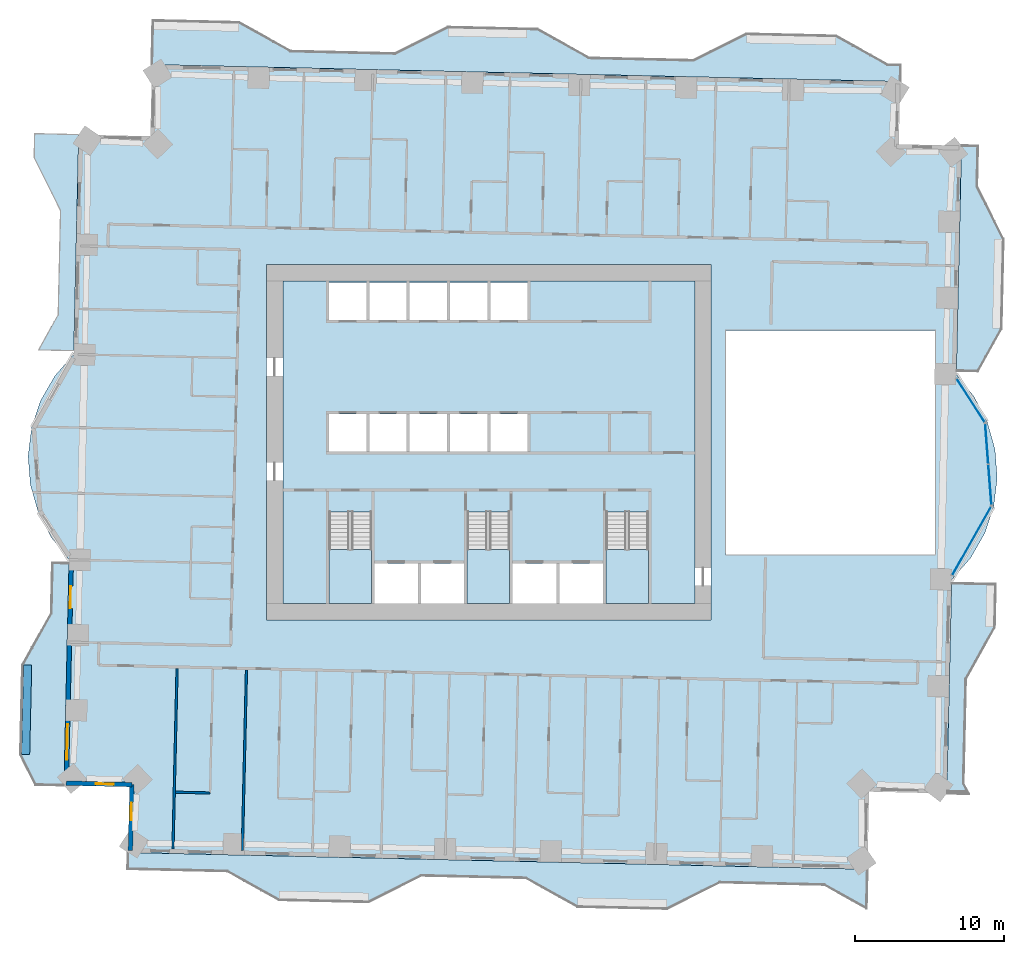
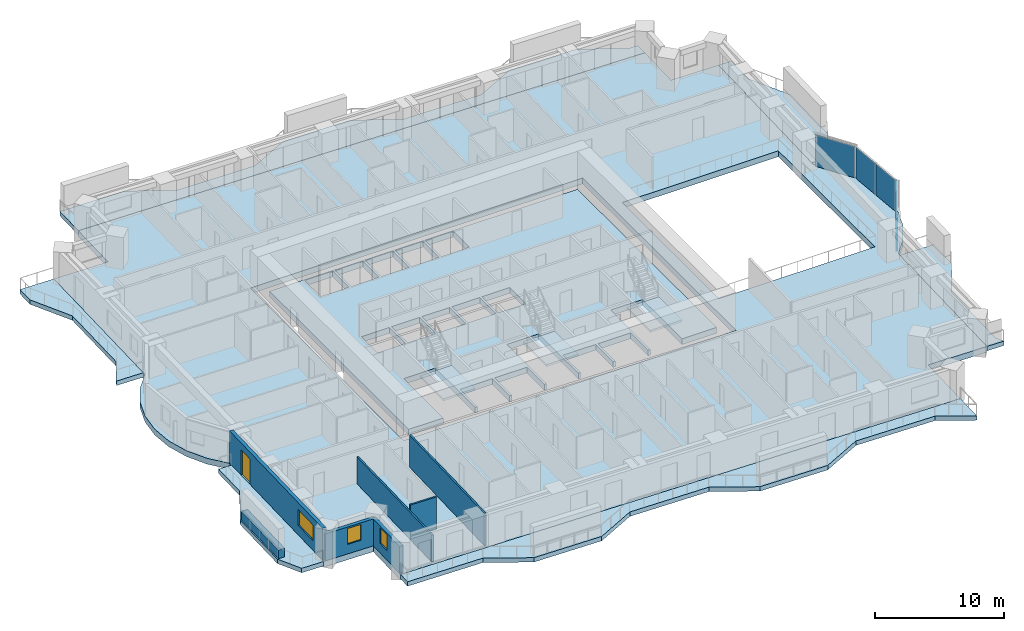
# One storey, part 6 of 18: 11 slabs, 7 walls, 4 plates, 3 windows, 1 door, 4 openings, 6 elements without a shape of their own.
"""IFC4 building model written with IfcOpenShell, lengths in metres."""

from ifc_helpers import new_model, si_unit, direction, frame, frame_2d, origin, origin_2d, place, context, subcontext, project, spatial, polyline, rectangle, outline, extrude, material, layer, layer_set, type_object, element, fill, aggregate, save


model = new_model("IFC4")

# Units and contexts
model_context = context("Model", 3, precision=1e-05, world=origin(), true_north=direction((0.0, 1.0)))
body_context = subcontext(model_context, "Body", "Model", "MODEL_VIEW")
ifc_project = project(units=[si_unit("LENGTHUNIT", "METRE"), si_unit("AREAUNIT", "SQUARE_METRE"), si_unit("VOLUMEUNIT", "CUBIC_METRE"), si_unit("PLANEANGLEUNIT", "RADIAN"), si_unit("MASSUNIT", "GRAM", prefix="KILO")], contexts=[model_context])

# Site, building, storey
site_placement = place(None, origin())
site = spatial("IfcSite", under=ifc_project, at=site_placement, CompositionType="ELEMENT")
building_placement = place(site_placement, origin())
building = spatial("IfcBuilding", under=site, at=building_placement, Name="Mangrove Gate Tower", CompositionType="ELEMENT")
storey_placement = place(building_placement, frame((0.0, 0.0, 67.5)))
storey = spatial("IfcBuildingStorey", under=building, at=storey_placement, Name="L16", CompositionType="ELEMENT", Elevation=67.5)

# Curtain wall, plate
ifc_material_1 = material(Name="Aluminium and glass curtain wall", Category="aluminium")
curtain_wall_type = type_object("IfcCurtainWallType", Name="Atrium garden-court glazing wall", PredefinedType="NOTDEFINED", material=ifc_material_1)
curtain_wall_1_placement = place(storey_placement, origin())
curtain_wall_1 = element("IfcCurtainWall", 1, at=curtain_wall_1_placement, inside=storey, type_object=curtain_wall_type, Name="Atrium garden-court glazing E1f1", PredefinedType="NOTDEFINED")
ifc_material_2 = material(Name="Laminated low-e glass", Category="glass")
ifc_layer_1 = layer(ifc_material_2, 0.031982421875)
ifc_layer_set_1 = layer_set([ifc_layer_1], Name="Atrium garden-court glazing panel 32")
plate_type = type_object("IfcPlateType", Name="Atrium garden-court glazing panel 32", PredefinedType="CURTAIN_PANEL", material=ifc_layer_set_1)
plate_1_placement = place(storey_placement, frame((32.34912109375, -6.600830078125, 0.0), z_axis=(0.0, 0.0, 1.0), x_axis=(0.492603686489, 0.870253760726, 0.0)))
plate_1 = element("IfcPlate", 2, at=plate_1_placement, type_object=plate_type, Name="CWA panel 1.1", PredefinedType="CURTAIN_PANEL", context=body_context, shape_type="SweptSolid", body=[
    extrude(rectangle(XDim=5.258544921875, YDim=0.031982421875, at=origin_2d()), origin(), (0.0, 0.0, 1.0), 2.97998046875),
])
aggregate(curtain_wall_1, [plate_1])

# Curtain wall, plates
curtain_wall_2_placement = place(storey_placement, origin())
curtain_wall_2 = element("IfcCurtainWall", 3, at=curtain_wall_2_placement, inside=storey, type_object=curtain_wall_type, Name="Atrium garden-court glazing E1f2", PredefinedType="NOTDEFINED")
plate_2_placement = place(storey_placement, frame((33.5703125, -2.84521484375, 0.0), z_axis=(0.0, 0.0, 1.0), x_axis=(-0.077023348212, 0.997029289354, 0.0)))
plate_2 = element("IfcPlate", 4, at=plate_2_placement, type_object=plate_type, Name="CWA panel 1.1", PredefinedType="CURTAIN_PANEL", context=body_context, shape_type="SweptSolid", body=[
    extrude(rectangle(XDim=2.681640625, YDim=0.031982421875, at=origin_2d()), origin(), (0.0, 0.0, 1.0), 2.97998046875),
])
plate_3_placement = place(storey_placement, frame((33.3583984375, -0.1015625, 0.0), z_axis=(0.0, 0.0, 1.0), x_axis=(-0.077023348212, 0.997029289354, 0.0)))
plate_3 = element("IfcPlate", 5, at=plate_3_placement, type_object=plate_type, Name="CWA panel 2.1", PredefinedType="CURTAIN_PANEL", context=body_context, shape_type="SweptSolid", body=[
    extrude(rectangle(XDim=2.681640625, YDim=0.031982421875, at=origin_2d()), origin(), (0.0, 0.0, 1.0), 2.97998046875),
])
aggregate(curtain_wall_2, [plate_2, plate_3])

# Curtain wall, plate
curtain_wall_3_placement = place(storey_placement, origin())
curtain_wall_3 = element("IfcCurtainWall", 6, at=curtain_wall_3_placement, inside=storey, type_object=curtain_wall_type, Name="Atrium garden-court glazing E1f3", PredefinedType="NOTDEFINED")
plate_4_placement = place(storey_placement, frame((32.284912109375, 2.806396484375, 0.0), z_axis=(0.0, 0.0, 1.0), x_axis=(-0.540524576597, 0.841328224948, 0.0)))
plate_4 = element("IfcPlate", 7, at=plate_4_placement, type_object=plate_type, Name="CWA panel 1.1", PredefinedType="CURTAIN_PANEL", context=body_context, shape_type="SweptSolid", body=[
    extrude(rectangle(XDim=3.42919921875, YDim=0.031982421875, at=origin_2d()), origin(), (0.0, 0.0, 1.0), 2.97998046875),
])
aggregate(curtain_wall_3, [plate_4])

# Slabs
ifc_material_3 = material(Name="Porcelain tile")
ifc_layer_2 = layer(ifc_material_3, 0.02001953125, Name="Tile finish")
ifc_material_4 = material(Name="Cement sand screed")
ifc_layer_3 = layer(ifc_material_4, 0.0400390625, Name="Screed laid to falls")
ifc_material_5 = material(Name="Bituminous waterproofing membrane")
ifc_layer_4 = layer(ifc_material_5, 0.00390625, Name="Waterproofing")
ifc_material_6 = material(Name="Concrete C40/50", Category="concrete")
ifc_layer_5 = layer(ifc_material_6, 0.340087890625, Name="Balcony structural slab")
ifc_material_7 = material(Name="Limestone", Category="masonry")
ifc_layer_6 = layer(ifc_material_7, 0.01611328125, Name="Soffit lining")
ifc_layer_set_2 = layer_set([ifc_layer_2, ifc_layer_3, ifc_layer_4, ifc_layer_5, ifc_layer_6], Name="Balcony slab 420 C40/50")
slab_type_1 = type_object("IfcSlabType", Name="Balcony slab 420 C40/50", PredefinedType="FLOOR", material=ifc_layer_set_2)
slab_1_placement = place(storey_placement, frame((0.0, 0.0, -0.419921875)))
element("IfcSlab", 8, at=slab_1_placement, inside=storey, type_object=slab_type_1, Name="BALCONY L16 E0", PredefinedType="FLOOR", context=body_context, shape_type="SweptSolid", body=[
    extrude(outline(polyline([(32.18896484375, -23.550048828125), (31.8349609375, -22.841064453125), (31.993896484375, -15.843017578125), (33.923095703125, -12.385986328125), (33.988037109375, -9.511962890625), (30.9990234375, -9.444091796875), (30.93408203125, -12.318115234375), (30.85400390625, -15.81689453125), (30.695068359375, -22.81591796875), (30.678955078125, -23.514892578125), (32.18896484375, -23.550048828125)])), origin(), (0.0, 0.0, 1.0), 0.419921875),
])
slab_2_placement = place(storey_placement, frame((0.0, 0.0, -0.419921875)))
element("IfcSlab", 9, at=slab_2_placement, inside=storey, type_object=slab_type_1, Name="BALCONY L16 E1", PredefinedType="FLOOR", context=body_context, shape_type="SweptSolid", body=[
    extrude(outline(polyline([(32.7919921875, 4.76904296875), (34.3759765625, 7.60888671875), (34.512939453125, 13.60693359375), (32.741943359375, 17.14794921875), (32.803955078125, 19.847900390625), (31.6640625, 19.873046875), (31.60302734375, 17.174072265625), (31.52294921875, 13.675048828125), (31.386962890625, 7.677001953125), (31.322021484375, 4.802978515625), (32.7919921875, 4.76904296875)])), origin(), (0.0, 0.0, 1.0), 0.419921875),
])
slab_3_placement = place(storey_placement, frame((0.0, 0.0, -0.419921875)))
element("IfcSlab", 10, at=slab_3_placement, inside=storey, type_object=slab_type_1, Name="BALCONY L16 N0", PredefinedType="FLOOR", context=body_context, shape_type="SweptSolid", body=[
    extrude(outline(polyline([(27.5859375, 25.306884765625), (26.718994140625, 25.326904296875), (23.260986328125, 27.256103515625), (17.262939453125, 27.39208984375), (13.721923828125, 25.6220703125), (6.72412109375, 25.781005859375), (3.26708984375, 27.7099609375), (2.56689453125, 27.72607421875), (-2.73193359375, 27.845947265625), (-6.27294921875, 26.076904296875), (-13.27099609375, 26.235107421875), (-16.72802734375, 28.1630859375), (-22.4951171875, 28.2939453125), (-22.56298828125, 25.304931640625), (2.4990234375, 24.736083984375), (3.198974609375, 24.720947265625), (27.56005859375, 24.16796875), (27.5859375, 25.306884765625)])), origin(), (0.0, 0.0, 1.0), 0.419921875),
])
slab_4_placement = place(storey_placement, frame((0.0, 0.0, -0.419921875)))
element("IfcSlab", 11, at=slab_4_placement, inside=storey, type_object=slab_type_1, Name="BALCONY L16 W0", PredefinedType="FLOOR", context=body_context, shape_type="SweptSolid", body=[
    extrude(outline(polyline([(-30.4599609375, 20.68310546875), (-30.49609375, 19.083984375), (-28.72607421875, 15.5419921875), (-28.885009765625, 8.5439453125), (-30.193115234375, 6.198974609375), (-27.799072265625, 6.14404296875), (-27.7451171875, 8.51806640625), (-27.5859375, 15.51708984375), (-27.507080078125, 19.01611328125), (-27.469970703125, 20.614990234375), (-30.4599609375, 20.68310546875)])), origin(), (0.0, 0.0, 1.0), 0.419921875),
])
slab_5_placement = place(storey_placement, frame((0.0, 0.0, -0.419921875)))
element("IfcSlab", 12, at=slab_5_placement, inside=storey, type_object=slab_type_1, Name="BALCONY L16 W1", PredefinedType="FLOOR", context=body_context, shape_type="SweptSolid", body=[
    extrude(outline(polyline([(-29.261962890625, -8.076904296875), (-29.337890625, -11.450927734375), (-31.26708984375, -14.907958984375), (-31.403076171875, -20.906005859375), (-30.39208984375, -22.929931640625), (-28.4599609375, -22.97412109375), (-28.4140625, -20.97412109375), (-28.278076171875, -14.97607421875), (-28.198974609375, -11.47607421875), (-28.1220703125, -8.10302734375), (-29.261962890625, -8.076904296875)])), origin(), (0.0, 0.0, 1.0), 0.419921875),
])
slab_6_placement = place(storey_placement, frame((0.0, 0.0, -0.419921875)))
element("IfcSlab", 13, at=slab_6_placement, inside=storey, type_object=slab_type_1, Name="BALCONY L16 S0", PredefinedType="FLOOR", context=body_context, shape_type="SweptSolid", body=[
    extrude(outline(polyline([(-24.18603515625, -28.612060546875), (-17.52001953125, -28.762939453125), (-14.06298828125, -30.69189453125), (-8.06396484375, -30.827880859375), (-4.52294921875, -29.05810546875), (2.47509765625, -29.217041015625), (5.931884765625, -31.14599609375), (11.929931640625, -31.281982421875), (15.470947265625, -29.512939453125), (22.469970703125, -29.6708984375), (25.302978515625, -31.2509765625), (25.363037109375, -28.595947265625), (-24.159912109375, -27.471923828125), (-24.18603515625, -28.612060546875)])), origin(), (0.0, 0.0, 1.0), 0.419921875),
])
ifc_material_8 = material(Name="Concrete C40/50", Category="concrete")
ifc_layer_7 = layer(ifc_material_8, 0.550048828125)
ifc_layer_set_3 = layer_set([ifc_layer_7], Name="Core floor slab 550 C40/50")
slab_type_2 = type_object("IfcSlabType", Name="Core floor slab 550 C40/50", PredefinedType="FLOOR", material=ifc_layer_set_3)
slab_7_placement = place(storey_placement, frame((0.0, 0.0, -0.550048828125)))
element("IfcSlab", 14, at=slab_7_placement, inside=storey, type_object=slab_type_2, Name="SLAB-L16-CORE-1", PredefinedType="FLOOR", context=body_context, shape_type="SweptSolid", body=[
    extrude(outline(polyline([(-13.800048828125, -10.800048828125), (-13.800048828125, 10.800048828125), (13.800048828125, 10.800048828125), (13.800048828125, -10.800048828125), (10.699951171875, -10.800048828125), (10.699951171875, -4.653076171875), (7.85009765625, -4.653076171875), (7.85009765625, -10.800048828125), (7.64990234375, -10.800048828125), (7.64990234375, -8.10009765625), (4.72509765625, -8.10009765625), (4.72509765625, -10.800048828125), (4.52490234375, -10.800048828125), (4.52490234375, -8.10009765625), (1.60009765625, -8.10009765625), (1.60009765625, -10.800048828125), (1.39990234375, -10.800048828125), (1.39990234375, -4.653076171875), (-1.449951171875, -4.653076171875), (-1.449951171875, -10.800048828125), (-1.64990234375, -10.800048828125), (-1.64990234375, -8.10009765625), (-4.550048828125, -8.10009765625), (-4.550048828125, -10.800048828125), (-4.75, -10.800048828125), (-4.75, -8.10009765625), (-7.64990234375, -8.10009765625), (-7.64990234375, -10.800048828125), (-7.85009765625, -10.800048828125), (-7.85009765625, -4.653076171875), (-10.699951171875, -4.653076171875), (-10.699951171875, -10.800048828125), (-13.800048828125, -10.800048828125)]), holes=[polyline([(-8.199951171875, -0.60009765625), (-8.199951171875, 1.89990234375), (-10.699951171875, 1.89990234375), (-10.699951171875, -0.60009765625), (-8.199951171875, -0.60009765625)]), polyline([(-5.5, -0.60009765625), (-5.5, 1.89990234375), (-8.0, 1.89990234375), (-8.0, -0.60009765625), (-5.5, -0.60009765625)]), polyline([(-2.800048828125, -0.60009765625), (-2.800048828125, 1.89990234375), (-5.300048828125, 1.89990234375), (-5.300048828125, -0.60009765625), (-2.800048828125, -0.60009765625)]), polyline([(-8.199951171875, 8.199951171875), (-8.199951171875, 10.699951171875), (-10.699951171875, 10.699951171875), (-10.699951171875, 8.199951171875), (-8.199951171875, 8.199951171875)]), polyline([(-5.5, 8.199951171875), (-5.5, 10.699951171875), (-8.0, 10.699951171875), (-8.0, 8.199951171875), (-5.5, 8.199951171875)]), polyline([(-2.800048828125, 8.199951171875), (-2.800048828125, 10.699951171875), (-5.300048828125, 10.699951171875), (-5.300048828125, 8.199951171875), (-2.800048828125, 8.199951171875)]), polyline([(-0.10009765625, -0.60009765625), (-0.10009765625, 1.89990234375), (-2.60009765625, 1.89990234375), (-2.60009765625, -0.60009765625), (-0.10009765625, -0.60009765625)]), polyline([(2.60009765625, -0.60009765625), (2.60009765625, 1.89990234375), (0.10009765625, 1.89990234375), (0.10009765625, -0.60009765625), (2.60009765625, -0.60009765625)]), polyline([(-2.60009765625, 8.199951171875), (-0.10009765625, 8.199951171875), (-0.10009765625, 10.699951171875), (-2.60009765625, 10.699951171875), (-2.60009765625, 8.199951171875)]), polyline([(0.10009765625, 8.199951171875), (2.60009765625, 8.199951171875), (2.60009765625, 10.699951171875), (0.10009765625, 10.699951171875), (0.10009765625, 8.199951171875)])]), origin(), (0.0, 0.0, 1.0), 0.550048828125),
])

# Stair, slab
ifc_material_9 = material(Name="Concrete C40/50", Category="concrete")
stair_type = type_object("IfcStairType", Name="Core stair 1350", PredefinedType="HALF_TURN_STAIR", material=ifc_material_9)
stair_1_placement = place(storey_placement, origin())
stair_1 = element("IfcStair", 15, at=stair_1_placement, inside=storey, type_object=stair_type, Name="L16 Stair 1", PredefinedType="HALF_TURN_STAIR")
ifc_material_10 = material(Name="Concrete C40/50", Category="concrete")
ifc_layer_8 = layer(ifc_material_10, 0.199951171875)
ifc_layer_set_4 = layer_set([ifc_layer_8], Name="Core stair landing 200")
slab_type_3 = type_object("IfcSlabType", Name="Core stair landing 200", PredefinedType="LANDING", material=ifc_layer_set_4)
slab_8_placement = place(storey_placement, frame((0.0, 0.0, 1.60009765625)))
slab_8 = element("IfcSlab", 16, at=slab_8_placement, type_object=slab_type_3, Name="ST1 landing 1", PredefinedType="LANDING", context=body_context, shape_type="SweptSolid", body=[
    extrude(outline(polyline([(-10.699951171875, -7.169921875), (-10.699951171875, -10.800048828125), (-7.85009765625, -10.800048828125), (-7.85009765625, -7.169921875), (-10.699951171875, -7.169921875)])), origin(), (0.0, 0.0, 1.0), 0.199951171875),
])
aggregate(stair_1, [slab_8])

stair_2_placement = place(storey_placement, origin())
stair_2 = element("IfcStair", 17, at=stair_2_placement, inside=storey, type_object=stair_type, Name="L16 Stair 2", PredefinedType="HALF_TURN_STAIR")
slab_9_placement = place(storey_placement, frame((0.0, 0.0, 1.60009765625)))
slab_9 = element("IfcSlab", 18, at=slab_9_placement, type_object=slab_type_3, Name="ST2 landing 1", PredefinedType="LANDING", context=body_context, shape_type="SweptSolid", body=[
    extrude(outline(polyline([(-1.449951171875, -7.169921875), (-1.449951171875, -10.800048828125), (1.39990234375, -10.800048828125), (1.39990234375, -7.169921875), (-1.449951171875, -7.169921875)])), origin(), (0.0, 0.0, 1.0), 0.199951171875),
])
aggregate(stair_2, [slab_9])

stair_3_placement = place(storey_placement, origin())
stair_3 = element("IfcStair", 19, at=stair_3_placement, inside=storey, type_object=stair_type, Name="L16 Stair 3", PredefinedType="HALF_TURN_STAIR")
slab_10_placement = place(storey_placement, frame((0.0, 0.0, 1.60009765625)))
slab_10 = element("IfcSlab", 20, at=slab_10_placement, type_object=slab_type_3, Name="ST3 landing 1", PredefinedType="LANDING", context=body_context, shape_type="SweptSolid", body=[
    extrude(outline(polyline([(7.85009765625, -7.169921875), (7.85009765625, -10.800048828125), (10.699951171875, -10.800048828125), (10.699951171875, -7.169921875), (7.85009765625, -7.169921875)])), origin(), (0.0, 0.0, 1.0), 0.199951171875),
])
aggregate(stair_3, [slab_10])

# Slab
ifc_material_11 = material(Name="Concrete C40/50", Category="concrete")
ifc_layer_9 = layer(ifc_material_11, 0.550048828125)
ifc_layer_set_5 = layer_set([ifc_layer_9], Name="Floor slab 550 C40/50")
slab_type_4 = type_object("IfcSlabType", Name="Floor slab 550 C40/50", PredefinedType="FLOOR", material=ifc_layer_set_5)
slab_11_placement = place(storey_placement, frame((0.0, 0.0, -0.550048828125)))
element("IfcSlab", 21, at=slab_11_placement, inside=storey, type_object=slab_type_4, Name="Floor slab L16", PredefinedType="FLOOR", context=body_context, shape_type="SweptSolid", body=[
    extrude(outline(polyline([(-24.160400390625, -27.47216796875), (25.36279296875, -28.595947265625), (25.480712890625, -23.3974609375), (30.679443359375, -23.515380859375), (31.00439453125, -9.1943359375), (32.267333984375, -7.7578125), (33.220458984375, -6.099365234375), (33.825927734375, -4.28515625), (34.0595703125, -2.38671875), (33.912353515625, -0.4794921875), (33.389892578125, 1.360595703125), (32.512939453125, 3.060302734375), (31.31640625, 4.552734375), (31.6640625, 19.87353515625), (27.465087890625, 19.96875), (27.560302734375, 24.167724609375), (-22.562744140625, 25.30517578125), (-22.671630859375, 20.50634765625), (-27.470458984375, 20.615234375), (-27.804443359375, 5.894287109375), (-29.0673828125, 4.457763671875), (-30.0205078125, 2.799560546875), (-30.6259765625, 0.985107421875), (-30.859619140625, -0.913330078125), (-30.71240234375, -2.820556640625), (-30.18994140625, -4.660400390625), (-29.31298828125, -6.3603515625), (-28.116455078125, -7.852783203125), (-28.45947265625, -22.9736328125), (-24.060546875, -23.0732421875), (-24.160400390625, -27.47216796875)]), holes=[polyline([(15.89990234375, 7.5), (29.889892578125, 7.5), (29.889892578125, -7.5), (15.89990234375, -7.5), (15.89990234375, 7.5)]), polyline([(-14.89990234375, -11.89990234375), (-14.89990234375, 11.89990234375), (14.89990234375, 11.89990234375), (14.89990234375, -11.89990234375), (-14.89990234375, -11.89990234375)])]), origin(), (0.0, 0.0, 1.0), 0.550048828125),
])

# Wall, openings, door, window
ifc_layer_10 = layer(ifc_material_7, 0.0400390625, Name="Limestone cladding")
ifc_material_12 = material(Name="Ventilated air gap")
ifc_layer_11 = layer(ifc_material_12, 0.0400390625, Name="Ventilated cavity")
ifc_material_13 = material(Name="Mineral wool insulation")
ifc_layer_12 = layer(ifc_material_13, 0.06005859375, Name="Insulation")
ifc_material_14 = material(Name="Breather membrane")
ifc_layer_13 = layer(ifc_material_14, 0.001953125, Name="Breather membrane")
ifc_material_15 = material(Name="Concrete C20/25 blockwork", Category="masonry")
ifc_layer_14 = layer(ifc_material_15, 0.14990234375, Name="Blockwork backing wall")
ifc_material_16 = material(Name="Gypsum plaster")
ifc_layer_15 = layer(ifc_material_16, 0.008056640625, Name="Internal plaster")
ifc_layer_set_6 = layer_set([ifc_layer_10, ifc_layer_11, ifc_layer_12, ifc_layer_13, ifc_layer_14, ifc_layer_15], Name="External wall 300 limestone cladding")
wall_type_1 = type_object("IfcWallType", Name="External wall 300 limestone cladding", PredefinedType="SOLIDWALL", material=ifc_layer_set_6)
wall_1_placement = place(storey_placement, frame((-27.965087890625, -7.802001953125, 0.0), z_axis=(0.0, 0.0, 1.0), x_axis=(-0.02267786199, -0.999742824218, 0.0)))
wall_1 = element("IfcWall", 22, at=wall_1_placement, inside=storey, type_object=wall_type_1, Name="WALL-L16-W10", PredefinedType="SOLIDWALL", context=body_context, shape_type="SweptSolid", body=[
    extrude(rectangle(XDim=15.02880859375, YDim=0.300048828125, at=frame_2d((7.514404296875, 0.0))), origin(), (0.0, 0.0, 1.0), 3.050048828125),
])
opening_1_placement = place(wall_1_placement, frame((1.825927734375, 0.0, 0.0)))
opening_1 = element("IfcOpeningElement", 23, at=opening_1_placement, cuts=wall_1, Name="Opening BD1", PredefinedType="OPENING", context=body_context, shape_type="SweptSolid", body=[
    extrude(rectangle(XDim=1.5, YDim=2.39990234375, at=frame_2d((0.75, 1.199951171875))), frame((0.0, 0.159912109375, 0.0), z_axis=(0.0, -1.0, 0.0), x_axis=(1.0, 0.0, 0.0)), (0.0, 0.0, 1.0), 0.320068359375),
])
opening_2_placement = place(wall_1_placement, frame((11.071044921875, 0.0, 0.89990234375)))
opening_2 = element("IfcOpeningElement", 24, at=opening_2_placement, cuts=wall_1, Name="Opening W2", PredefinedType="OPENING", context=body_context, shape_type="SweptSolid", body=[
    extrude(rectangle(XDim=2.39990234375, YDim=1.5, at=frame_2d((1.199951171875, 0.75))), frame((0.0, 0.159912109375, 0.0), z_axis=(0.0, -1.0, 0.0), x_axis=(1.0, 0.0, 0.0)), (0.0, 0.0, 1.0), 0.320068359375),
])
ifc_material_17 = material(Name="Aluminium frame with laminated clear glass", Category="aluminium")
door_type = type_object("IfcDoorType", Name="Balcony sliding door 1500x2400", OperationType="SLIDING_TO_LEFT", PredefinedType="DOOR", material=ifc_material_17)
door_placement = place(opening_1_placement, origin())
door = element("IfcDoor", 25, at=door_placement, inside=storey, type_object=door_type, Name="DOOR-L16-W10-1", OperationType="SLIDING_TO_LEFT", OverallHeight=2.39990234375, OverallWidth=1.5, PredefinedType="DOOR", context=body_context, shape_type="SweptSolid", body=[
    extrude(rectangle(XDim=1.5, YDim=2.39990234375, at=frame_2d((0.75, 1.199951171875))), frame((0.0, 0.02490234375, 0.0), z_axis=(0.0, -1.0, 0.0), x_axis=(1.0, 0.0, 0.0)), (0.0, 0.0, 1.0), 0.050048828125),
])
fill(opening_1, door)
ifc_material_18 = material(Name="Aluminium frame with double-glazed low-e glass", Category="aluminium")
window_type_1 = type_object("IfcWindowType", Name="Corner room window 2400x1500", PartitioningType="DOUBLE_PANEL_VERTICAL", PredefinedType="WINDOW", material=ifc_material_18)
window_1_placement = place(opening_2_placement, origin())
window_1 = element("IfcWindow", 26, at=window_1_placement, inside=storey, type_object=window_type_1, Name="WIN-L16-W10-2", OverallHeight=1.5, OverallWidth=2.39990234375, PartitioningType="DOUBLE_PANEL_VERTICAL", PredefinedType="WINDOW", context=body_context, shape_type="SweptSolid", body=[
    extrude(rectangle(XDim=2.39990234375, YDim=1.5, at=frame_2d((1.199951171875, 0.75))), frame((0.0, 0.030029296875, 0.0), z_axis=(0.0, -1.0, 0.0), x_axis=(1.0, 0.0, 0.0)), (0.0, 0.0, 1.0), 0.06005859375),
])
fill(opening_2, window_1)

# Wall, opening, window
wall_2_placement = place(storey_placement, frame((-28.305908203125, -22.826904296875, 0.0), z_axis=(0.0, 0.0, 1.0), x_axis=(0.999741204967, -0.022749133868, 0.0)))
wall_2 = element("IfcWall", 27, at=wall_2_placement, inside=storey, type_object=wall_type_1, Name="WALL-L16-S11", PredefinedType="SOLIDWALL", context=body_context, shape_type="SweptSolid", body=[
    extrude(rectangle(XDim=4.400146484375, YDim=0.300048828125, at=frame_2d((2.2001953125, 0.0))), origin(), (0.0, 0.0, 1.0), 2.550048828125),
])
opening_3_placement = place(wall_2_placement, frame((1.97802734375, 0.0, 0.89990234375)))
opening_3 = element("IfcOpeningElement", 28, at=opening_3_placement, cuts=wall_2, Name="Opening W1", PredefinedType="OPENING", context=body_context, shape_type="SweptSolid", body=[
    extrude(rectangle(XDim=1.199951171875, YDim=1.5, at=frame_2d((0.60009765625, 0.75))), frame((0.0, 0.159912109375, 0.0), z_axis=(0.0, -1.0, 0.0), x_axis=(1.0, 0.0, 0.0)), (0.0, 0.0, 1.0), 0.320068359375),
])
ifc_material_19 = material(Name="Aluminium frame with double-glazed low-e glass", Category="aluminium")
window_type_2 = type_object("IfcWindowType", Name="Side lite 1200x1500", PartitioningType="SINGLE_PANEL", PredefinedType="WINDOW", material=ifc_material_19)
window_2_placement = place(opening_3_placement, origin())
window_2 = element("IfcWindow", 29, at=window_2_placement, inside=storey, type_object=window_type_2, Name="WIN-L16-S11-1", OverallHeight=1.5, OverallWidth=1.199951171875, PartitioningType="SINGLE_PANEL", PredefinedType="WINDOW", context=body_context, shape_type="SweptSolid", body=[
    extrude(rectangle(XDim=1.199951171875, YDim=1.5, at=frame_2d((0.60009765625, 0.75))), frame((0.0, 0.030029296875, 0.0), z_axis=(0.0, -1.0, 0.0), x_axis=(1.0, 0.0, 0.0)), (0.0, 0.0, 1.0), 0.06005859375),
])
fill(opening_3, window_2)

wall_3_placement = place(storey_placement, frame((-23.906982421875, -22.927001953125, 0.0), z_axis=(0.0, 0.0, 1.0), x_axis=(-0.022749133868, -0.999741204967, 0.0)))
wall_3 = element("IfcWall", 30, at=wall_3_placement, inside=storey, type_object=wall_type_1, Name="WALL-L16-W12", PredefinedType="SOLIDWALL", context=body_context, shape_type="SweptSolid", body=[
    extrude(rectangle(XDim=4.400146484375, YDim=0.300048828125, at=frame_2d((2.2001953125, 0.0))), origin(), (0.0, 0.0, 1.0), 2.550048828125),
])
opening_4_placement = place(wall_3_placement, frame((1.198974609375, 0.0, 0.89990234375)))
opening_4 = element("IfcOpeningElement", 31, at=opening_4_placement, cuts=wall_3, Name="Opening W1", PredefinedType="OPENING", context=body_context, shape_type="SweptSolid", body=[
    extrude(rectangle(XDim=1.199951171875, YDim=1.5, at=frame_2d((0.60009765625, 0.75))), frame((0.0, 0.159912109375, 0.0), z_axis=(0.0, -1.0, 0.0), x_axis=(1.0, 0.0, 0.0)), (0.0, 0.0, 1.0), 0.320068359375),
])
window_3_placement = place(opening_4_placement, origin())
window_3 = element("IfcWindow", 32, at=window_3_placement, inside=storey, type_object=window_type_2, Name="WIN-L16-W12-1", OverallHeight=1.5, OverallWidth=1.199951171875, PartitioningType="SINGLE_PANEL", PredefinedType="WINDOW", context=body_context, shape_type="SweptSolid", body=[
    extrude(rectangle(XDim=1.199951171875, YDim=1.5, at=frame_2d((0.60009765625, 0.75))), frame((0.0, 0.030029296875, 0.0), z_axis=(0.0, -1.0, 0.0), x_axis=(1.0, 0.0, 0.0)), (0.0, 0.0, 1.0), 0.06005859375),
])
fill(opening_4, window_3)

# Walls
ifc_material_20 = material(Name="Gypsum board on steel stud, EI 60", Category="steel")
ifc_layer_16 = layer(ifc_material_20, 0.14990234375)
ifc_layer_set_7 = layer_set([ifc_layer_16], Name="Party wall 150 EI 60")
wall_type_2 = type_object("IfcWallType", Name="Party wall 150 EI 60", PredefinedType="PARTITIONING", material=ifc_layer_set_7)
wall_4_placement = place(storey_placement, frame((-21.156005859375, -27.240966796875, 0.0), z_axis=(0.0, 0.0, 1.0), x_axis=(0.022636621344, 0.999743758857, 0.0)))
element("IfcWall", 33, at=wall_4_placement, inside=storey, type_object=wall_type_2, Name="WALL-L16-001", PredefinedType="PARTITIONING", context=body_context, shape_type="SweptSolid", body=[
    extrude(rectangle(XDim=12.10107421875, YDim=0.14990234375, at=frame_2d((6.050537109375, 0.0))), origin(), (0.0, 0.0, 1.0), 2.550048828125),
])
wall_5_placement = place(storey_placement, frame((-16.508056640625, -27.345947265625, 0.0), z_axis=(0.0, 0.0, 1.0), x_axis=(0.02273928012, 0.99974142914, 0.0)))
element("IfcWall", 34, at=wall_5_placement, inside=storey, type_object=wall_type_2, Name="WALL-L16-002", PredefinedType="PARTITIONING", context=body_context, shape_type="SweptSolid", body=[
    extrude(rectangle(XDim=12.10009765625, YDim=0.14990234375, at=frame_2d((6.050048828125, 0.0))), origin(), (0.0, 0.0, 1.0), 3.050048828125),
])
wall_6_placement = place(storey_placement, frame((-20.992919921875, -23.43310546875, 0.0), z_axis=(0.0, 0.0, 1.0), x_axis=(0.999740260747, -0.02279059109, 0.0)))
element("IfcWall", 35, at=wall_6_placement, inside=storey, type_object=wall_type_2, Name="WALL-L16-017", PredefinedType="PARTITIONING", context=body_context, shape_type="SweptSolid", body=[
    extrude(rectangle(XDim=2.324462890625, YDim=0.14990234375, at=frame_2d((1.162109375, 0.0))), origin(), (0.0, 0.0, 1.0), 3.050048828125),
])
ifc_material_21 = material(Name="Concrete C32/40", Category="concrete")
ifc_layer_17 = layer(ifc_material_21, 0.199951171875, Name="Planter trough wall")
ifc_layer_18 = layer(ifc_material_5, 0.0048828125, Name="Waterproofing")
ifc_material_22 = material(Name="Drainage board and gravel")
ifc_layer_19 = layer(ifc_material_22, 0.044921875, Name="Drainage layer")
ifc_material_23 = material(Name="Planting soil")
ifc_layer_20 = layer(ifc_material_23, 0.300048828125, Name="Growing medium")
ifc_layer_set_8 = layer_set([ifc_layer_17, ifc_layer_18, ifc_layer_19, ifc_layer_20], Name="Planter wall 550 C32/40")
wall_type_3 = type_object("IfcWallType", Name="Planter wall 550 C32/40", PredefinedType="USERDEFINED", material=ifc_layer_set_8)
wall_7_placement = place(storey_placement, frame((-31.028076171875, -20.9140625, 0.0), z_axis=(0.0, 0.0, 1.0), x_axis=(0.022665943652, 0.999743094499, 0.0)))
element("IfcWall", 36, at=wall_7_placement, inside=storey, type_object=wall_type_3, Name="PLANTER L16 W1.1", ObjectType="PLANTER", PredefinedType="USERDEFINED", context=body_context, shape_type="SweptSolid", body=[
    extrude(rectangle(XDim=5.99951171875, YDim=0.550048828125, at=frame_2d((2.999755859375, 0.0))), origin(), (0.0, 0.0, 1.0), 0.800048828125),
])

save(model, "model.ifc")
